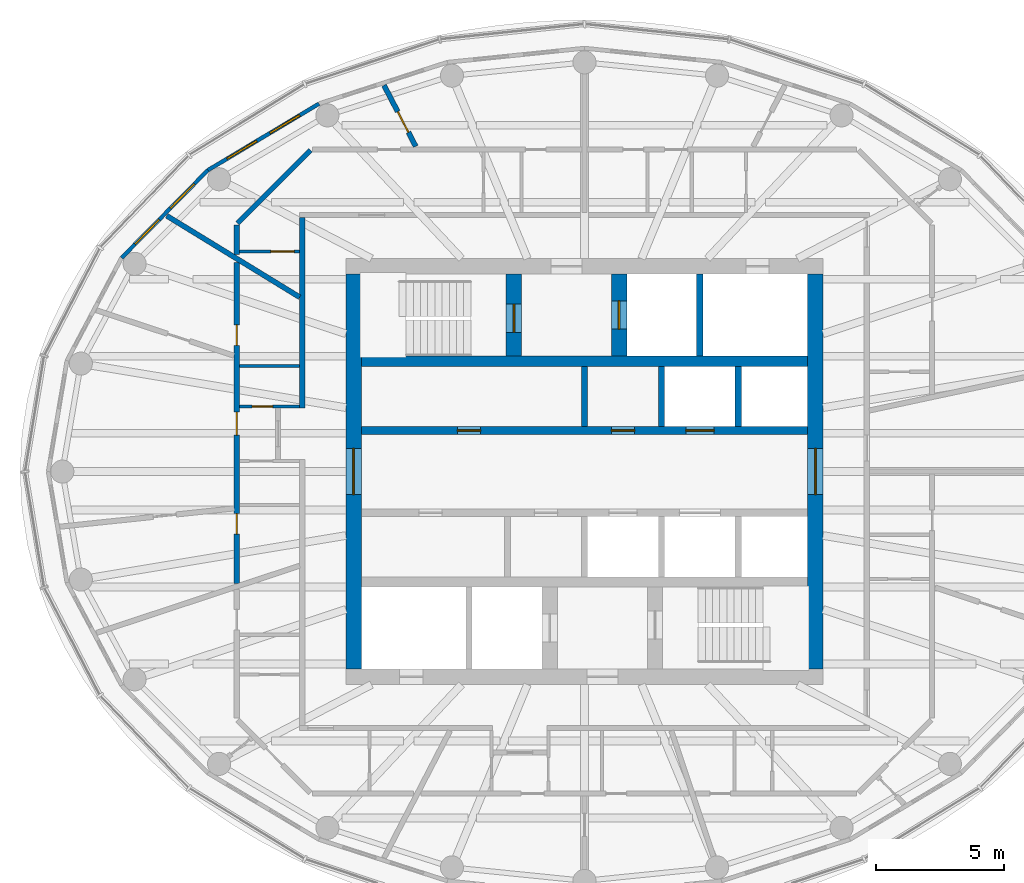
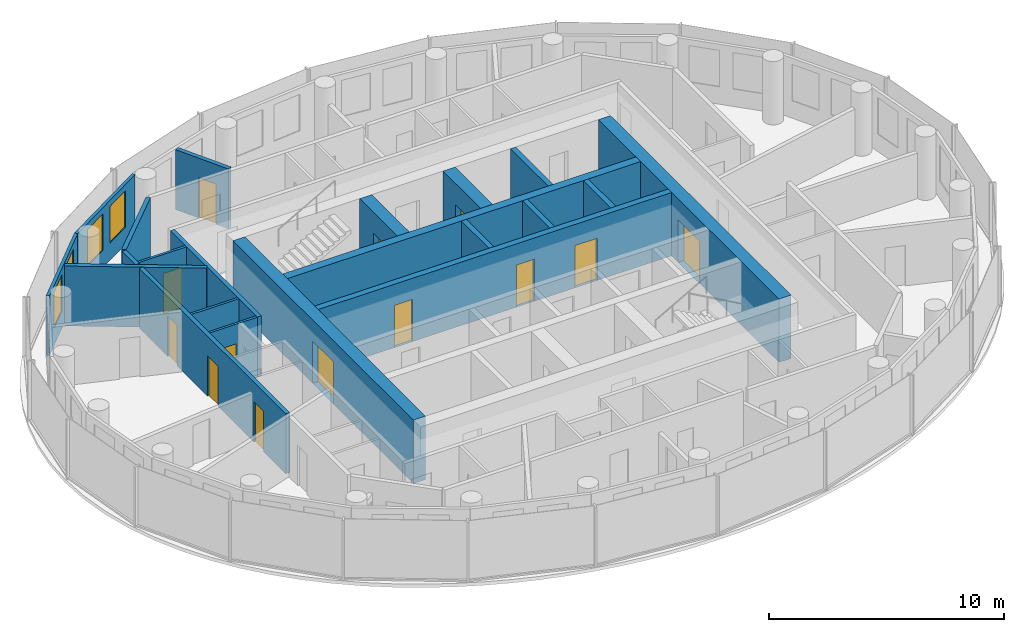
# One storey, part 7 of 11: 21 walls, 13 doors, 4 windows, 17 openings.
"""IFC4 building model written with IfcOpenShell, lengths in metres."""

from ifc_helpers import new_model, si_unit, direction, frame, frame_2d, origin, place, context, subcontext, project, spatial, rectangle, extrude, material, layer, layer_set, type_object, element, fill, save


model = new_model("IFC4")

# Units and contexts
model_context = context("Model", 3, precision=1e-05, world=origin(), true_north=direction((0.0, 1.0)))
body_context = subcontext(model_context, "Body", "Model", "MODEL_VIEW")
ifc_project = project(units=[si_unit("LENGTHUNIT", "METRE"), si_unit("AREAUNIT", "SQUARE_METRE"), si_unit("VOLUMEUNIT", "CUBIC_METRE"), si_unit("PLANEANGLEUNIT", "RADIAN"), si_unit("MASSUNIT", "GRAM", prefix="KILO")], contexts=[model_context])

# Site, building, storey
site_placement = place(None, origin())
site = spatial("IfcSite", under=ifc_project, at=site_placement, CompositionType="ELEMENT")
building_placement = place(site_placement, origin())
building = spatial("IfcBuilding", under=site, at=building_placement, Name="Hankou Lantern Tower", CompositionType="ELEMENT")
storey_placement = place(building_placement, frame((0.0, 0.0, 196.199951171875)))
storey = spatial("IfcBuildingStorey", under=building, at=storey_placement, Name="L52", CompositionType="ELEMENT", Elevation=196.199951171875)

# Wall, opening, door
ifc_material_1 = material(Name="Concrete C60", Category="concrete")
ifc_layer_1 = layer(ifc_material_1, 0.60009765625)
ifc_layer_set_1 = layer_set([ifc_layer_1], Name="Concrete C60")
wall_type_1 = type_object("IfcWallType", Name="CW3 CORE WALL 600", PredefinedType="SHEAR", material=ifc_layer_set_1)
wall_1_placement = place(storey_placement, frame((9.0, -7.699951171875, 0.0), z_axis=(0.0, 0.0, 1.0), x_axis=(0.0, 1.0, 0.0)))
wall_1 = element("IfcWall", 1, at=wall_1_placement, inside=storey, type_object=wall_type_1, Name="Core wall east L52", PredefinedType="SHEAR", context=body_context, shape_type="SweptSolid", body=[
    extrude(rectangle(XDim=15.39990234375, YDim=0.60009765625, at=frame_2d((7.699951171875, 0.0))), origin(), (0.0, 0.0, 1.0), 3.300048828125),
])
opening_1_placement = place(wall_1_placement, frame((6.800048828125, 0.0, 0.0)))
opening_1 = element("IfcOpeningElement", 2, at=opening_1_placement, cuts=wall_1, Name="Opening D6", PredefinedType="OPENING", context=body_context, shape_type="SweptSolid", body=[
    extrude(rectangle(XDim=1.800048828125, YDim=2.199951171875, at=frame_2d((0.89990234375, 1.10009765625))), frame((0.0, 0.31005859375, 0.0), z_axis=(0.0, -1.0, 0.0), x_axis=(1.0, 0.0, 0.0)), (0.0, 0.0, 1.0), 0.6201171875),
])
ifc_material_2 = material(Name="Steel door leaf", Category="steel")
door_type_1 = type_object("IfcDoorType", Name="D6 LIFT LOBBY DOOR 1800X2200", OperationType="DOUBLE_DOOR_DOUBLE_SWING", PredefinedType="DOOR", material=ifc_material_2)
door_1_placement = place(opening_1_placement, origin())
door_1 = element("IfcDoor", 3, at=door_1_placement, inside=storey, type_object=door_type_1, Name="Lift lobby east door", OperationType="DOUBLE_DOOR_DOUBLE_SWING", OverallHeight=2.199951171875, OverallWidth=1.800048828125, PredefinedType="DOOR", context=body_context, shape_type="SweptSolid", body=[
    extrude(rectangle(XDim=1.800048828125, YDim=2.199951171875, at=frame_2d((0.89990234375, 1.10009765625))), frame((0.0, 0.02490234375, 0.0), z_axis=(0.0, -1.0, 0.0), x_axis=(1.0, 0.0, 0.0)), (0.0, 0.0, 1.0), 0.050048828125),
])
fill(opening_1, door_1)

wall_2_placement = place(storey_placement, frame((-9.0, 7.699951171875, 0.0), z_axis=(0.0, 0.0, 1.0), x_axis=(0.0, -1.0, 0.0)))
wall_2 = element("IfcWall", 4, at=wall_2_placement, inside=storey, type_object=wall_type_1, Name="Core wall west L52", PredefinedType="SHEAR", context=body_context, shape_type="SweptSolid", body=[
    extrude(rectangle(XDim=15.39990234375, YDim=0.60009765625, at=frame_2d((7.699951171875, 0.0))), origin(), (0.0, 0.0, 1.0), 3.300048828125),
])
opening_2_placement = place(wall_2_placement, frame((6.800048828125, 0.0, 0.0)))
opening_2 = element("IfcOpeningElement", 5, at=opening_2_placement, cuts=wall_2, Name="Opening D6", PredefinedType="OPENING", context=body_context, shape_type="SweptSolid", body=[
    extrude(rectangle(XDim=1.800048828125, YDim=2.199951171875, at=frame_2d((0.89990234375, 1.10009765625))), frame((0.0, 0.31005859375, 0.0), z_axis=(0.0, -1.0, 0.0), x_axis=(1.0, 0.0, 0.0)), (0.0, 0.0, 1.0), 0.6201171875),
])
door_2_placement = place(opening_2_placement, origin())
door_2 = element("IfcDoor", 6, at=door_2_placement, inside=storey, type_object=door_type_1, Name="Lift lobby west door", OperationType="DOUBLE_DOOR_DOUBLE_SWING", OverallHeight=2.199951171875, OverallWidth=1.800048828125, PredefinedType="DOOR", context=body_context, shape_type="SweptSolid", body=[
    extrude(rectangle(XDim=1.800048828125, YDim=2.199951171875, at=frame_2d((0.89990234375, 1.10009765625))), frame((0.0, 0.02490234375, 0.0), z_axis=(0.0, -1.0, 0.0), x_axis=(1.0, 0.0, 0.0)), (0.0, 0.0, 1.0), 0.050048828125),
])
fill(opening_2, door_2)

# Wall
ifc_material_3 = material(Name="Concrete C60", Category="concrete")
ifc_layer_2 = layer(ifc_material_3, 0.39990234375)
ifc_layer_set_2 = layer_set([ifc_layer_2], Name="Concrete C60")
wall_type_2 = type_object("IfcWallType", Name="CW4 CORE CROSS WALL 400", PredefinedType="SHEAR", material=ifc_layer_set_2)
wall_3_placement = place(storey_placement, frame((-8.699951171875, 4.300048828125, 0.0), z_axis=(0.0, 0.0, 1.0), x_axis=(1.0, 0.0, 0.0)))
element("IfcWall", 7, at=wall_3_placement, inside=storey, type_object=wall_type_2, Name="Core band wall north L52", PredefinedType="SHEAR", context=body_context, shape_type="SweptSolid", body=[
    extrude(rectangle(XDim=17.39990234375, YDim=0.39990234375, at=frame_2d((8.699951171875, 0.0))), origin(), (0.0, 0.0, 1.0), 3.300048828125),
])

# Wall, openings, doors
ifc_material_4 = material(Name="Concrete C60", Category="concrete")
ifc_layer_3 = layer(ifc_material_4, 0.300048828125)
ifc_layer_set_3 = layer_set([ifc_layer_3], Name="Concrete C60")
wall_type_3 = type_object("IfcWallType", Name="CW5 LIFT LOBBY WALL 300", PredefinedType="SHEAR", material=ifc_layer_set_3)
wall_4_placement = place(storey_placement, frame((-8.699951171875, 1.60009765625, 0.0), z_axis=(0.0, 0.0, 1.0), x_axis=(1.0, 0.0, 0.0)))
wall_4 = element("IfcWall", 8, at=wall_4_placement, inside=storey, type_object=wall_type_3, Name="Lift lobby wall north L52", PredefinedType="SHEAR", context=body_context, shape_type="SweptSolid", body=[
    extrude(rectangle(XDim=17.39990234375, YDim=0.300048828125, at=frame_2d((8.699951171875, 0.0))), origin(), (0.0, 0.0, 1.0), 3.300048828125),
])
opening_3_placement = place(wall_4_placement, frame((12.64990234375, 0.0, 0.0)))
opening_3 = element("IfcOpeningElement", 9, at=opening_3_placement, cuts=wall_4, Name="Opening LD1", PredefinedType="OPENING", context=body_context, shape_type="SweptSolid", body=[
    extrude(rectangle(XDim=1.10009765625, YDim=2.199951171875, at=frame_2d((0.550048828125, 1.10009765625))), frame((0.0, 0.159912109375, 0.0), z_axis=(0.0, -1.0, 0.0), x_axis=(1.0, 0.0, 0.0)), (0.0, 0.0, 1.0), 0.320068359375),
])
opening_4_placement = place(wall_4_placement, frame((3.75, 0.0, 0.0)))
opening_4 = element("IfcOpeningElement", 10, at=opening_4_placement, cuts=wall_4, Name="Opening D30", PredefinedType="OPENING", context=body_context, shape_type="SweptSolid", body=[
    extrude(rectangle(XDim=0.89990234375, YDim=2.199951171875, at=frame_2d((0.449951171875, 1.10009765625))), frame((0.0, 0.159912109375, 0.0), z_axis=(0.0, -1.0, 0.0), x_axis=(1.0, 0.0, 0.0)), (0.0, 0.0, 1.0), 0.320068359375),
])
opening_5_placement = place(wall_4_placement, frame((9.75, 0.0, 0.0)))
opening_5 = element("IfcOpeningElement", 11, at=opening_5_placement, cuts=wall_4, Name="Opening D30", PredefinedType="OPENING", context=body_context, shape_type="SweptSolid", body=[
    extrude(rectangle(XDim=0.89990234375, YDim=2.199951171875, at=frame_2d((0.449951171875, 1.10009765625))), frame((0.0, 0.159912109375, 0.0), z_axis=(0.0, -1.0, 0.0), x_axis=(1.0, 0.0, 0.0)), (0.0, 0.0, 1.0), 0.320068359375),
])
ifc_material_5 = material(Name="Steel door leaf", Category="steel")
door_type_2 = type_object("IfcDoorType", Name="D30 CORE ROOM DOOR 900X2200", OperationType="SINGLE_SWING_LEFT", PredefinedType="DOOR", material=ifc_material_5)
door_3_placement = place(opening_4_placement, origin())
door_3 = element("IfcDoor", 12, at=door_3_placement, inside=storey, type_object=door_type_2, Name="Cleaner's store door", OperationType="SINGLE_SWING_LEFT", OverallHeight=2.199951171875, OverallWidth=0.89990234375, PredefinedType="DOOR", context=body_context, shape_type="SweptSolid", body=[
    extrude(rectangle(XDim=0.89990234375, YDim=2.199951171875, at=frame_2d((0.449951171875, 1.10009765625))), frame((0.0, 0.02490234375, 0.0), z_axis=(0.0, -1.0, 0.0), x_axis=(1.0, 0.0, 0.0)), (0.0, 0.0, 1.0), 0.050048828125),
])
fill(opening_4, door_3)
door_4_placement = place(opening_5_placement, origin())
door_4 = element("IfcDoor", 13, at=door_4_placement, inside=storey, type_object=door_type_2, Name="Minibar store door", OperationType="SINGLE_SWING_RIGHT", OverallHeight=2.199951171875, OverallWidth=0.89990234375, PredefinedType="DOOR", context=body_context, shape_type="SweptSolid", body=[
    extrude(rectangle(XDim=0.89990234375, YDim=2.199951171875, at=frame_2d((0.449951171875, 1.10009765625))), frame((0.0, 0.02490234375, 0.0), z_axis=(0.0, -1.0, 0.0), x_axis=(1.0, 0.0, 0.0)), (0.0, 0.0, 1.0), 0.050048828125),
])
fill(opening_5, door_4)
ifc_material_6 = material(Name="Steel door leaf", Category="steel")
door_type_3 = type_object("IfcDoorType", Name="LD1 LIFT LANDING DOOR 1100X2200", OperationType="DOUBLE_DOOR_SLIDING", PredefinedType="DOOR", material=ifc_material_6)
door_5_placement = place(opening_3_placement, origin())
door_5 = element("IfcDoor", 14, at=door_5_placement, inside=storey, type_object=door_type_3, Name="Lift T1 landing door", OperationType="DOUBLE_DOOR_SLIDING", OverallHeight=2.199951171875, OverallWidth=1.10009765625, PredefinedType="DOOR", context=body_context, shape_type="SweptSolid", body=[
    extrude(rectangle(XDim=1.10009765625, YDim=2.199951171875, at=frame_2d((0.550048828125, 1.10009765625))), frame((0.0, 0.02490234375, 0.0), z_axis=(0.0, -1.0, 0.0), x_axis=(1.0, 0.0, 0.0)), (0.0, 0.0, 1.0), 0.050048828125),
])
fill(opening_3, door_5)

# Wall, opening, door
ifc_material_7 = material(Name="Concrete C60", Category="concrete")
ifc_layer_4 = layer(ifc_material_7, 0.60009765625)
ifc_layer_set_4 = layer_set([ifc_layer_4], Name="Concrete C60")
wall_type_4 = type_object("IfcWallType", Name="CW6 STAIR AND SHAFT WALL 600", PredefinedType="SHEAR", material=ifc_layer_set_4)
wall_5_placement = place(storey_placement, frame((-2.75, 4.5, 0.0), z_axis=(0.0, 0.0, 1.0), x_axis=(0.0, 1.0, 0.0)))
wall_5 = element("IfcWall", 15, at=wall_5_placement, inside=storey, type_object=wall_type_4, Name="Stair wall L52", PredefinedType="SHEAR", context=body_context, shape_type="SweptSolid", body=[
    extrude(rectangle(XDim=3.199951171875, YDim=0.60009765625, at=frame_2d((1.60009765625, 0.0))), origin(), (0.0, 0.0, 1.0), 3.300048828125),
])
opening_6_placement = place(wall_5_placement, frame((0.925048828125, 0.0, 0.0)))
opening_6 = element("IfcOpeningElement", 16, at=opening_6_placement, cuts=wall_5, Name="Opening D4", PredefinedType="OPENING", context=body_context, shape_type="SweptSolid", body=[
    extrude(rectangle(XDim=1.10009765625, YDim=2.199951171875, at=frame_2d((0.550048828125, 1.10009765625))), frame((0.0, 0.31005859375, 0.0), z_axis=(0.0, -1.0, 0.0), x_axis=(1.0, 0.0, 0.0)), (0.0, 0.0, 1.0), 0.6201171875),
])
ifc_material_8 = material(Name="Steel door leaf", Category="steel")
door_type_4 = type_object("IfcDoorType", Name="D4 STAIR DOOR 1100X2200", OperationType="SINGLE_SWING_LEFT", PredefinedType="DOOR", material=ifc_material_8)
door_6_placement = place(opening_6_placement, origin())
door_6 = element("IfcDoor", 17, at=door_6_placement, inside=storey, type_object=door_type_4, Name="Stair A door", OperationType="SINGLE_SWING_LEFT", OverallHeight=2.199951171875, OverallWidth=1.10009765625, PredefinedType="DOOR", context=body_context, shape_type="SweptSolid", body=[
    extrude(rectangle(XDim=1.10009765625, YDim=2.199951171875, at=frame_2d((0.550048828125, 1.10009765625))), frame((0.0, 0.02490234375, 0.0), z_axis=(0.0, -1.0, 0.0), x_axis=(1.0, 0.0, 0.0)), (0.0, 0.0, 1.0), 0.050048828125),
])
fill(opening_6, door_6)

wall_6_placement = place(storey_placement, frame((1.35009765625, 4.5, 0.0), z_axis=(0.0, 0.0, 1.0), x_axis=(0.0, 1.0, 0.0)))
wall_6 = element("IfcWall", 18, at=wall_6_placement, inside=storey, type_object=wall_type_4, Name="Firefighting lift shaft wall L52", PredefinedType="SHEAR", context=body_context, shape_type="SweptSolid", body=[
    extrude(rectangle(XDim=3.199951171875, YDim=0.60009765625, at=frame_2d((1.60009765625, 0.0))), origin(), (0.0, 0.0, 1.0), 3.300048828125),
])
opening_7_placement = place(wall_6_placement, frame((1.050048828125, 0.0, 0.0)))
opening_7 = element("IfcOpeningElement", 19, at=opening_7_placement, cuts=wall_6, Name="Opening LD2", PredefinedType="OPENING", context=body_context, shape_type="SweptSolid", body=[
    extrude(rectangle(XDim=1.10009765625, YDim=2.199951171875, at=frame_2d((0.550048828125, 1.10009765625))), frame((0.0, 0.31005859375, 0.0), z_axis=(0.0, -1.0, 0.0), x_axis=(1.0, 0.0, 0.0)), (0.0, 0.0, 1.0), 0.6201171875),
])
ifc_material_9 = material(Name="Steel door leaf", Category="steel")
door_type_5 = type_object("IfcDoorType", Name="LD2 FIREFIGHTING LIFT LANDING DOOR 1100X2200", OperationType="DOUBLE_DOOR_SLIDING", PredefinedType="DOOR", material=ifc_material_9)
door_7_placement = place(opening_7_placement, origin())
door_7 = element("IfcDoor", 20, at=door_7_placement, inside=storey, type_object=door_type_5, Name="Firefighting lift FL1 landing door", OperationType="DOUBLE_DOOR_SLIDING", OverallHeight=2.199951171875, OverallWidth=1.10009765625, PredefinedType="DOOR", context=body_context, shape_type="SweptSolid", body=[
    extrude(rectangle(XDim=1.10009765625, YDim=2.199951171875, at=frame_2d((0.550048828125, 1.10009765625))), frame((0.0, 0.02490234375, 0.0), z_axis=(0.0, -1.0, 0.0), x_axis=(1.0, 0.0, 0.0)), (0.0, 0.0, 1.0), 0.050048828125),
])
fill(opening_7, door_7)

# Wall, openings, windows
ifc_material_10 = material(Name="Aluminium spandrel panel on steel studs", Category="steel")
ifc_layer_5 = layer(ifc_material_10, 0.14990234375)
ifc_layer_set_5 = layer_set([ifc_layer_5], Name="Aluminium spandrel panel on steel studs")
wall_type_5 = type_object("IfcWallType", Name="EW1 INNER SKIN WALL 150", PredefinedType="ELEMENTEDWALL", material=ifc_layer_set_5)
wall_7_placement = place(storey_placement, frame((-10.346435546875, 14.33642578125, 0.0), z_axis=(0.0, 0.0, 1.0), x_axis=(-0.85822150553, -0.513279502265, 0.0)))
wall_7 = element("IfcWall", 21, at=wall_7_placement, inside=storey, type_object=wall_type_5, Name="Inner skin R09-R10 L52", PredefinedType="ELEMENTEDWALL", context=body_context, shape_type="SweptSolid", body=[
    extrude(rectangle(XDim=5.050048828125, YDim=0.14990234375, at=frame_2d((2.52490234375, 0.0))), origin(), (0.0, 0.0, 1.0), 3.1201171875),
])
opening_8_placement = place(wall_7_placement, frame((0.875, 0.0, 0.89990234375)))
opening_8 = element("IfcOpeningElement", 22, at=opening_8_placement, cuts=wall_7, Name="Opening W4", PredefinedType="OPENING", context=body_context, shape_type="SweptSolid", body=[
    extrude(rectangle(XDim=1.35009765625, YDim=1.89990234375, at=frame_2d((0.675048828125, 0.949951171875))), frame((0.0, 0.0849609375, 0.0), z_axis=(0.0, -1.0, 0.0), x_axis=(1.0, 0.0, 0.0)), (0.0, 0.0, 1.0), 0.169921875),
])
opening_9_placement = place(wall_7_placement, frame((2.824951171875, 0.0, 0.89990234375)))
opening_9 = element("IfcOpeningElement", 23, at=opening_9_placement, cuts=wall_7, Name="Opening W4", PredefinedType="OPENING", context=body_context, shape_type="SweptSolid", body=[
    extrude(rectangle(XDim=1.35009765625, YDim=1.89990234375, at=frame_2d((0.675048828125, 0.949951171875))), frame((0.0, 0.0849609375, 0.0), z_axis=(0.0, -1.0, 0.0), x_axis=(1.0, 0.0, 0.0)), (0.0, 0.0, 1.0), 0.169921875),
])
ifc_material_11 = material(Name="Aluminium framed double glazed window", Category="aluminium")
window_type = type_object("IfcWindowType", Name="W4 SUITE WINDOW 1350X1900", PartitioningType="DOUBLE_PANEL_VERTICAL", PredefinedType="WINDOW", material=ifc_material_11)
window_1_placement = place(opening_8_placement, origin())
window_1 = element("IfcWindow", 24, at=window_1_placement, inside=storey, type_object=window_type, Name="Window R09.1 L52", OverallHeight=1.89990234375, OverallWidth=1.35009765625, PartitioningType="SINGLE_PANEL", PredefinedType="WINDOW", context=body_context, shape_type="SweptSolid", body=[
    extrude(rectangle(XDim=1.35009765625, YDim=1.89990234375, at=frame_2d((0.675048828125, 0.949951171875))), frame((0.0, 0.030029296875, 0.0), z_axis=(0.0, -1.0, 0.0), x_axis=(1.0, 0.0, 0.0)), (0.0, 0.0, 1.0), 0.06005859375),
])
fill(opening_8, window_1)
window_2_placement = place(opening_9_placement, origin())
window_2 = element("IfcWindow", 25, at=window_2_placement, inside=storey, type_object=window_type, Name="Window R09.2 L52", OverallHeight=1.89990234375, OverallWidth=1.35009765625, PartitioningType="SINGLE_PANEL", PredefinedType="WINDOW", context=body_context, shape_type="SweptSolid", body=[
    extrude(rectangle(XDim=1.35009765625, YDim=1.89990234375, at=frame_2d((0.675048828125, 0.949951171875))), frame((0.0, 0.030029296875, 0.0), z_axis=(0.0, -1.0, 0.0), x_axis=(1.0, 0.0, 0.0)), (0.0, 0.0, 1.0), 0.06005859375),
])
fill(opening_9, window_2)

wall_8_placement = place(storey_placement, frame((-14.680419921875, 11.744384765625, 0.0), z_axis=(0.0, 0.0, 1.0), x_axis=(-0.701527379618, -0.712642501993, 0.0)))
wall_8 = element("IfcWall", 26, at=wall_8_placement, inside=storey, type_object=wall_type_5, Name="Inner skin R10-R11 L52", PredefinedType="ELEMENTEDWALL", context=body_context, shape_type="SweptSolid", body=[
    extrude(rectangle(XDim=4.788330078125, YDim=0.14990234375, at=frame_2d((2.39404296875, 0.0))), origin(), (0.0, 0.0, 1.0), 3.1201171875),
])
opening_10_placement = place(wall_8_placement, frame((0.744140625, 0.0, 0.89990234375)))
opening_10 = element("IfcOpeningElement", 27, at=opening_10_placement, cuts=wall_8, Name="Opening W4", PredefinedType="OPENING", context=body_context, shape_type="SweptSolid", body=[
    extrude(rectangle(XDim=1.35009765625, YDim=1.89990234375, at=frame_2d((0.675048828125, 0.949951171875))), frame((0.0, 0.0849609375, 0.0), z_axis=(0.0, -1.0, 0.0), x_axis=(1.0, 0.0, 0.0)), (0.0, 0.0, 1.0), 0.169921875),
])
opening_11_placement = place(wall_8_placement, frame((2.694091796875, 0.0, 0.89990234375)))
opening_11 = element("IfcOpeningElement", 28, at=opening_11_placement, cuts=wall_8, Name="Opening W4", PredefinedType="OPENING", context=body_context, shape_type="SweptSolid", body=[
    extrude(rectangle(XDim=1.35009765625, YDim=1.89990234375, at=frame_2d((0.675048828125, 0.949951171875))), frame((0.0, 0.0849609375, 0.0), z_axis=(0.0, -1.0, 0.0), x_axis=(1.0, 0.0, 0.0)), (0.0, 0.0, 1.0), 0.169921875),
])
window_3_placement = place(opening_10_placement, origin())
window_3 = element("IfcWindow", 29, at=window_3_placement, inside=storey, type_object=window_type, Name="Window R10.1 L52", OverallHeight=1.89990234375, OverallWidth=1.35009765625, PartitioningType="SINGLE_PANEL", PredefinedType="WINDOW", context=body_context, shape_type="SweptSolid", body=[
    extrude(rectangle(XDim=1.35009765625, YDim=1.89990234375, at=frame_2d((0.675048828125, 0.949951171875))), frame((0.0, 0.030029296875, 0.0), z_axis=(0.0, -1.0, 0.0), x_axis=(1.0, 0.0, 0.0)), (0.0, 0.0, 1.0), 0.06005859375),
])
fill(opening_10, window_3)
window_4_placement = place(opening_11_placement, origin())
window_4 = element("IfcWindow", 30, at=window_4_placement, inside=storey, type_object=window_type, Name="Window R10.2 L52", OverallHeight=1.89990234375, OverallWidth=1.35009765625, PartitioningType="SINGLE_PANEL", PredefinedType="WINDOW", context=body_context, shape_type="SweptSolid", body=[
    extrude(rectangle(XDim=1.35009765625, YDim=1.89990234375, at=frame_2d((0.675048828125, 0.949951171875))), frame((0.0, 0.030029296875, 0.0), z_axis=(0.0, -1.0, 0.0), x_axis=(1.0, 0.0, 0.0)), (0.0, 0.0, 1.0), 0.06005859375),
])
fill(opening_11, window_4)

# Walls
ifc_material_12 = material(Name="Masonry lightweight concrete block", Category="masonry")
ifc_layer_6 = layer(ifc_material_12, 0.199951171875)
ifc_layer_set_6 = layer_set([ifc_layer_6], Name="Masonry lightweight concrete block")
wall_type_6 = type_object("IfcWallType", Name="IW1 GUEST ROOM PARTY WALL 200", PredefinedType="PARTITIONING", material=ifc_layer_set_6)
wall_9_placement = place(storey_placement, frame((-11.10009765625, 6.79736328125, 0.0), z_axis=(0.0, 0.0, 1.0), x_axis=(-0.852799818179, 0.522237943963, 0.0)))
element("IfcWall", 31, at=wall_9_placement, inside=storey, type_object=wall_type_6, Name="Party wall R10-R11", PredefinedType="PARTITIONING", context=body_context, shape_type="SweptSolid", body=[
    extrude(rectangle(XDim=6.076904296875, YDim=0.199951171875, at=frame_2d((3.03857421875, 0.0))), origin(), (0.0, 0.0, 1.0), 3.1201171875),
])
ifc_material_13 = material(Name="Masonry lightweight concrete block", Category="masonry")
ifc_layer_7 = layer(ifc_material_13, 0.199951171875)
ifc_layer_set_7 = layer_set([ifc_layer_7], Name="Masonry lightweight concrete block")
wall_type_7 = type_object("IfcWallType", Name="IW2 CORRIDOR WALL 200", PredefinedType="PARTITIONING", material=ifc_layer_set_7)
wall_10_placement = place(storey_placement, frame((-11.0, 9.89990234375, 0.0), z_axis=(0.0, 0.0, 1.0), x_axis=(0.0, -1.0, 0.0)))
element("IfcWall", 32, at=wall_10_placement, inside=storey, type_object=wall_type_7, Name="Corridor wall west", PredefinedType="PARTITIONING", context=body_context, shape_type="SweptSolid", body=[
    extrude(rectangle(XDim=7.41552734375, YDim=0.199951171875, at=frame_2d((3.707763671875, 0.0))), origin(), (0.0, 0.0, 1.0), 3.1201171875),
])

# Wall, opening, door
ifc_material_14 = material(Name="Masonry lightweight concrete block", Category="masonry")
ifc_layer_8 = layer(ifc_material_14, 0.1201171875)
ifc_layer_set_8 = layer_set([ifc_layer_8], Name="Masonry lightweight concrete block")
wall_type_8 = type_object("IfcWallType", Name="IW3 BATHROOM WALL 120", PredefinedType="PARTITIONING", material=ifc_layer_set_8)
wall_11_placement = place(storey_placement, frame((-11.10009765625, 8.57568359375, 0.0), z_axis=(0.0, 0.0, 1.0), x_axis=(-1.0, 0.0, 0.0)))
wall_11 = element("IfcWall", 33, at=wall_11_placement, inside=storey, type_object=wall_type_8, Name="Box wall 5203 3", PredefinedType="PARTITIONING", context=body_context, shape_type="SweptSolid", body=[
    extrude(rectangle(XDim=2.349853515625, YDim=0.1201171875, at=frame_2d((1.1748046875, 0.0))), origin(), (0.0, 0.0, 1.0), 3.1201171875),
])
opening_12_placement = place(wall_11_placement, frame((0.219970703125, 0.0, 0.0)))
opening_12 = element("IfcOpeningElement", 34, at=opening_12_placement, cuts=wall_11, Name="Opening D27", PredefinedType="OPENING", context=body_context, shape_type="SweptSolid", body=[
    extrude(rectangle(XDim=0.89990234375, YDim=2.10009765625, at=frame_2d((0.449951171875, 1.050048828125))), frame((0.0, 0.070068359375, 0.0), z_axis=(0.0, -1.0, 0.0), x_axis=(1.0, 0.0, 0.0)), (0.0, 0.0, 1.0), 0.14013671875),
])
ifc_material_15 = material(Name="Timber door leaf", Category="wood")
door_type_6 = type_object("IfcDoorType", Name="D27 INTERNAL DOOR 900X2100", OperationType="SINGLE_SWING_LEFT", PredefinedType="DOOR", material=ifc_material_15)
door_8_placement = place(opening_12_placement, origin())
door_8 = element("IfcDoor", 35, at=door_8_placement, inside=storey, type_object=door_type_6, Name="Suite 5203 walk-in wardrobe door", OperationType="SINGLE_SWING_LEFT", OverallHeight=2.10009765625, OverallWidth=0.89990234375, PredefinedType="DOOR", context=body_context, shape_type="SweptSolid", body=[
    extrude(rectangle(XDim=0.89990234375, YDim=2.10009765625, at=frame_2d((0.449951171875, 1.050048828125))), frame((0.0, 0.02490234375, 0.0), z_axis=(0.0, -1.0, 0.0), x_axis=(1.0, 0.0, 0.0)), (0.0, 0.0, 1.0), 0.050048828125),
])
fill(opening_12, door_8)

# Wall
wall_12_placement = place(storey_placement, frame((-11.10009765625, 4.115234375, 0.0), z_axis=(0.0, 0.0, 1.0), x_axis=(-1.0, 0.0, 0.0)))
element("IfcWall", 36, at=wall_12_placement, inside=storey, type_object=wall_type_8, Name="Box wall 5204 1", PredefinedType="PARTITIONING", context=body_context, shape_type="SweptSolid", body=[
    extrude(rectangle(XDim=2.349853515625, YDim=0.1201171875, at=frame_2d((1.1748046875, 0.0))), origin(), (0.0, 0.0, 1.0), 3.1201171875),
])

# Wall, opening, door
wall_13_placement = place(storey_placement, frame((-11.10009765625, 2.534423828125, 0.0), z_axis=(0.0, 0.0, 1.0), x_axis=(-1.0, 0.0, 0.0)))
wall_13 = element("IfcWall", 37, at=wall_13_placement, inside=storey, type_object=wall_type_8, Name="Box wall 5204 2", PredefinedType="PARTITIONING", context=body_context, shape_type="SweptSolid", body=[
    extrude(rectangle(XDim=2.349853515625, YDim=0.1201171875, at=frame_2d((1.1748046875, 0.0))), origin(), (0.0, 0.0, 1.0), 3.1201171875),
])
opening_13_placement = place(wall_13_placement, frame((1.050048828125, 0.0, 0.0)))
opening_13 = element("IfcOpeningElement", 38, at=opening_13_placement, cuts=wall_13, Name="Opening D3", PredefinedType="OPENING", context=body_context, shape_type="SweptSolid", body=[
    extrude(rectangle(XDim=0.800048828125, YDim=2.10009765625, at=frame_2d((0.39990234375, 1.050048828125))), frame((0.0, 0.070068359375, 0.0), z_axis=(0.0, -1.0, 0.0), x_axis=(1.0, 0.0, 0.0)), (0.0, 0.0, 1.0), 0.14013671875),
])
ifc_material_16 = material(Name="Timber door leaf", Category="wood")
door_type_7 = type_object("IfcDoorType", Name="D3 BATHROOM DOOR 800X2100", OperationType="SINGLE_SWING_LEFT", PredefinedType="DOOR", material=ifc_material_16)
door_9_placement = place(opening_13_placement, origin())
door_9 = element("IfcDoor", 39, at=door_9_placement, inside=storey, type_object=door_type_7, Name="Family suite 5204 guest WC door", OperationType="SINGLE_SWING_LEFT", OverallHeight=2.10009765625, OverallWidth=0.800048828125, PredefinedType="DOOR", context=body_context, shape_type="SweptSolid", body=[
    extrude(rectangle(XDim=0.800048828125, YDim=2.10009765625, at=frame_2d((0.39990234375, 1.050048828125))), frame((0.0, 0.02490234375, 0.0), z_axis=(0.0, -1.0, 0.0), x_axis=(1.0, 0.0, 0.0)), (0.0, 0.0, 1.0), 0.050048828125),
])
fill(opening_13, door_9)

# Walls
ifc_material_17 = material(Name="Masonry lightweight concrete block", Category="masonry")
ifc_layer_9 = layer(ifc_material_17, 0.199951171875)
ifc_layer_set_9 = layer_set([ifc_layer_9], Name="Masonry lightweight concrete block")
wall_type_9 = type_object("IfcWallType", Name="IW6 SUITE PARTITION 200", PredefinedType="PARTITIONING", material=ifc_layer_set_9)
wall_14_placement = place(storey_placement, frame((-10.67919921875, 12.520751953125, 0.0), z_axis=(0.0, 0.0, 1.0), x_axis=(-0.707106781187, -0.707106781187, 0.0)))
element("IfcWall", 40, at=wall_14_placement, inside=storey, type_object=wall_type_9, Name="Suite foyer wall 5203", PredefinedType="PARTITIONING", context=body_context, shape_type="SweptSolid", body=[
    extrude(rectangle(XDim=4.0185546875, YDim=0.199951171875, at=frame_2d((2.00927734375, 0.0))), origin(), (0.0, 0.0, 1.0), 3.1201171875),
])
wall_15_placement = place(storey_placement, frame((-13.550048828125, 9.608642578125, 0.0), z_axis=(0.0, 0.0, 1.0), x_axis=(0.0, -1.0, 0.0)))
element("IfcWall", 41, at=wall_15_placement, inside=storey, type_object=wall_type_9, Name="Suite foyer wall 5203", PredefinedType="PARTITIONING", context=body_context, shape_type="SweptSolid", body=[
    extrude(rectangle(XDim=1.152587890625, YDim=0.199951171875, at=frame_2d((0.576171875, 0.0))), origin(), (0.0, 0.0, 1.0), 3.1201171875),
])

# Wall, opening, door
wall_16_placement = place(storey_placement, frame((-6.578125, 12.676513671875, 0.0), z_axis=(0.0, 0.0, 1.0), x_axis=(-0.460620531465, 0.887597164255, 0.0)))
wall_16 = element("IfcWall", 42, at=wall_16_placement, inside=storey, type_object=wall_type_9, Name="Suite partition R08-R09", PredefinedType="PARTITIONING", context=body_context, shape_type="SweptSolid", body=[
    extrude(rectangle(XDim=2.677734375, YDim=0.199951171875, at=frame_2d((1.3388671875, 0.0))), origin(), (0.0, 0.0, 1.0), 3.1201171875),
])
opening_14_placement = place(wall_16_placement, frame((0.6201171875, 0.0, 0.0)))
opening_14 = element("IfcOpeningElement", 43, at=opening_14_placement, cuts=wall_16, Name="Opening D27", PredefinedType="OPENING", context=body_context, shape_type="SweptSolid", body=[
    extrude(rectangle(XDim=0.89990234375, YDim=2.10009765625, at=frame_2d((0.449951171875, 1.050048828125))), frame((0.0, 0.10986328125, 0.0), z_axis=(0.0, -1.0, 0.0), x_axis=(1.0, 0.0, 0.0)), (0.0, 0.0, 1.0), 0.219970703125),
])
door_10_placement = place(opening_14_placement, origin())
door_10 = element("IfcDoor", 44, at=door_10_placement, inside=storey, type_object=door_type_6, Name="Suite 5203 bedroom door", OperationType="SINGLE_SWING_LEFT", OverallHeight=2.10009765625, OverallWidth=0.89990234375, PredefinedType="DOOR", context=body_context, shape_type="SweptSolid", body=[
    extrude(rectangle(XDim=0.89990234375, YDim=2.10009765625, at=frame_2d((0.449951171875, 1.050048828125))), frame((0.0, 0.02490234375, 0.0), z_axis=(0.0, -1.0, 0.0), x_axis=(1.0, 0.0, 0.0)), (0.0, 0.0, 1.0), 0.050048828125),
])
fill(opening_14, door_10)

# Wall, openings, doors
wall_17_placement = place(storey_placement, frame((-13.550048828125, 8.13916015625, 0.0), z_axis=(0.0, 0.0, 1.0), x_axis=(0.0, -1.0, 0.0)))
wall_17 = element("IfcWall", 45, at=wall_17_placement, inside=storey, type_object=wall_type_9, Name="Suite foyer wall 5204", PredefinedType="PARTITIONING", context=body_context, shape_type="SweptSolid", body=[
    extrude(rectangle(XDim=12.496337890625, YDim=0.199951171875, at=frame_2d((6.248046875, 0.0))), origin(), (0.0, 0.0, 1.0), 3.1201171875),
])
opening_15_placement = place(wall_17_placement, frame((2.419921875, 0.0, 0.0)))
opening_15 = element("IfcOpeningElement", 46, at=opening_15_placement, cuts=wall_17, Name="Opening D3", PredefinedType="OPENING", context=body_context, shape_type="SweptSolid", body=[
    extrude(rectangle(XDim=0.800048828125, YDim=2.10009765625, at=frame_2d((0.39990234375, 1.050048828125))), frame((0.0, 0.10986328125, 0.0), z_axis=(0.0, -1.0, 0.0), x_axis=(1.0, 0.0, 0.0)), (0.0, 0.0, 1.0), 0.219970703125),
])
opening_16_placement = place(wall_17_placement, frame((9.775634765625, 0.0, 0.0)))
opening_16 = element("IfcOpeningElement", 47, at=opening_16_placement, cuts=wall_17, Name="Opening D3", PredefinedType="OPENING", context=body_context, shape_type="SweptSolid", body=[
    extrude(rectangle(XDim=0.800048828125, YDim=2.10009765625, at=frame_2d((0.39990234375, 1.050048828125))), frame((0.0, 0.10986328125, 0.0), z_axis=(0.0, -1.0, 0.0), x_axis=(1.0, 0.0, 0.0)), (0.0, 0.0, 1.0), 0.219970703125),
])
opening_17_placement = place(wall_17_placement, frame((5.820068359375, 0.0, 0.0)))
opening_17 = element("IfcOpeningElement", 48, at=opening_17_placement, cuts=wall_17, Name="Opening D27", PredefinedType="OPENING", context=body_context, shape_type="SweptSolid", body=[
    extrude(rectangle(XDim=0.89990234375, YDim=2.10009765625, at=frame_2d((0.449951171875, 1.050048828125))), frame((0.0, 0.10986328125, 0.0), z_axis=(0.0, -1.0, 0.0), x_axis=(1.0, 0.0, 0.0)), (0.0, 0.0, 1.0), 0.219970703125),
])
door_11_placement = place(opening_17_placement, origin())
door_11 = element("IfcDoor", 49, at=door_11_placement, inside=storey, type_object=door_type_6, Name="Family suite 5204 living room door", OperationType="SINGLE_SWING_LEFT", OverallHeight=2.10009765625, OverallWidth=0.89990234375, PredefinedType="DOOR", context=body_context, shape_type="SweptSolid", body=[
    extrude(rectangle(XDim=0.89990234375, YDim=2.10009765625, at=frame_2d((0.449951171875, 1.050048828125))), frame((0.0, 0.02490234375, 0.0), z_axis=(0.0, -1.0, 0.0), x_axis=(1.0, 0.0, 0.0)), (0.0, 0.0, 1.0), 0.050048828125),
])
fill(opening_17, door_11)
door_12_placement = place(opening_15_placement, origin())
door_12 = element("IfcDoor", 50, at=door_12_placement, inside=storey, type_object=door_type_7, Name="Family suite 5204 bathroom door", OperationType="SINGLE_SWING_RIGHT", OverallHeight=2.10009765625, OverallWidth=0.800048828125, PredefinedType="DOOR", context=body_context, shape_type="SweptSolid", body=[
    extrude(rectangle(XDim=0.800048828125, YDim=2.10009765625, at=frame_2d((0.39990234375, 1.050048828125))), frame((0.0, 0.02490234375, 0.0), z_axis=(0.0, -1.0, 0.0), x_axis=(1.0, 0.0, 0.0)), (0.0, 0.0, 1.0), 0.050048828125),
])
fill(opening_15, door_12)
door_13_placement = place(opening_16_placement, origin())
door_13 = element("IfcDoor", 51, at=door_13_placement, inside=storey, type_object=door_type_7, Name="Family suite 5204 second bathroom door", OperationType="SINGLE_SWING_LEFT", OverallHeight=2.10009765625, OverallWidth=0.800048828125, PredefinedType="DOOR", context=body_context, shape_type="SweptSolid", body=[
    extrude(rectangle(XDim=0.800048828125, YDim=2.10009765625, at=frame_2d((0.39990234375, 1.050048828125))), frame((0.0, 0.02490234375, 0.0), z_axis=(0.0, -1.0, 0.0), x_axis=(1.0, 0.0, 0.0)), (0.0, 0.0, 1.0), 0.050048828125),
])
fill(opening_16, door_13)

# Walls
ifc_material_18 = material(Name="Masonry autoclaved aerated concrete block", Category="masonry")
ifc_layer_10 = layer(ifc_material_18, 0.25)
ifc_layer_set_10 = layer_set([ifc_layer_10], Name="Masonry autoclaved aerated concrete block")
wall_type_10 = type_object("IfcWallType", Name="SW1 SHAFT BLOCK WALL 250", PredefinedType="PARTITIONING", material=ifc_layer_set_10)
wall_18_placement = place(storey_placement, frame((4.5, 4.5, 0.0), z_axis=(0.0, 0.0, 1.0), x_axis=(0.0, 1.0, 0.0)))
element("IfcWall", 52, at=wall_18_placement, inside=storey, type_object=wall_type_10, Name="Riser wall L52", PredefinedType="PARTITIONING", context=body_context, shape_type="SweptSolid", body=[
    extrude(rectangle(XDim=3.199951171875, YDim=0.25, at=frame_2d((1.60009765625, 0.0))), origin(), (0.0, 0.0, 1.0), 3.300048828125),
])
for number, where, z_axis, x_axis, name in (
    (53, (0.0, 1.75, 0.0), (0.0, 0.0, 1.0), (0.0, 1.0, 0.0), "Lift shaft wall L52"),
    (54, (3.0, 1.75, 0.0), (0.0, 0.0, 1.0), (0.0, 1.0, 0.0), "Lift shaft wall L52"),
    (55, (6.0, 1.75, 0.0), (0.0, 0.0, 1.0), (0.0, 1.0, 0.0), "Lift shaft wall L52"),
):
    element("IfcWall", number, at=place(storey_placement, frame(where, z_axis=z_axis, x_axis=x_axis)), inside=storey, type_object=wall_type_10, Name=name, PredefinedType="PARTITIONING", context=body_context, shape_type="SweptSolid", body=[
        extrude(rectangle(XDim=2.35009765625, YDim=0.25, at=frame_2d((1.175048828125, 0.0))), origin(), (0.0, 0.0, 1.0), 3.300048828125),
    ])

save(model, "model.ifc")
